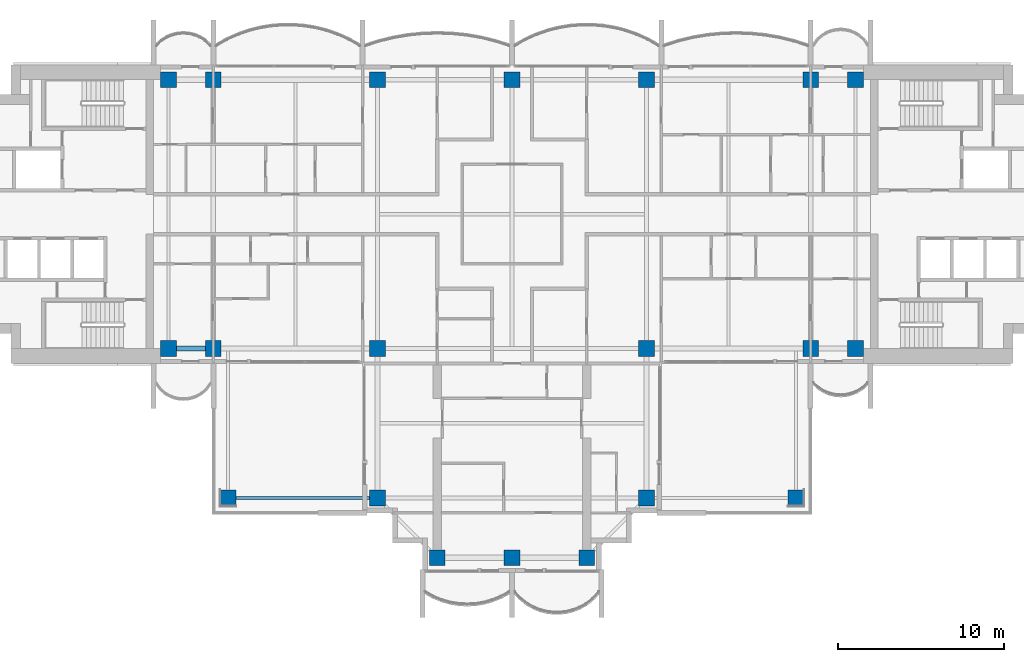
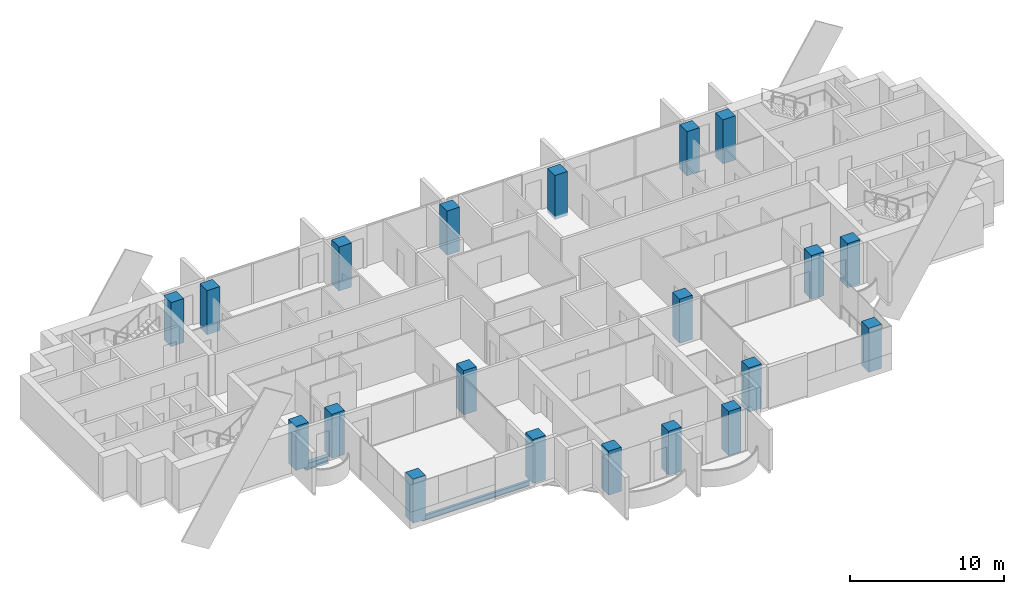
# One storey, part 1 of 17: 20 columns, 2 beams.
"""IFC4 building model written with IfcOpenShell, lengths in metres."""

from ifc_helpers import new_model, si_unit, direction, frame, origin, origin_2d, place, context, subcontext, project, spatial, rectangle, i_section, extrude, material, material_profile, profile_set, type_object, element, save


model = new_model("IFC4")

# Units and contexts
model_context = context("Model", 3, precision=1e-05, world=origin(), true_north=direction((0.0, 1.0)))
body_context = subcontext(model_context, "Body", "Model", "MODEL_VIEW")
ifc_project = project(units=[si_unit("LENGTHUNIT", "METRE"), si_unit("AREAUNIT", "SQUARE_METRE"), si_unit("VOLUMEUNIT", "CUBIC_METRE"), si_unit("PLANEANGLEUNIT", "RADIAN"), si_unit("MASSUNIT", "GRAM", prefix="KILO")], contexts=[model_context])

# Site, building, storey
site_placement = place(None, origin())
site = spatial("IfcSite", under=ifc_project, at=site_placement, CompositionType="ELEMENT")
building_placement = place(site_placement, origin())
building = spatial("IfcBuilding", under=site, at=building_placement, Name="Perihelion Cross Residences", CompositionType="ELEMENT")
storey_placement = place(building_placement, frame((0.0, 0.0, 198.10009765625)))
storey = spatial("IfcBuildingStorey", under=building, at=storey_placement, Name="L49", CompositionType="ELEMENT", Elevation=198.10009765625)

# Columns
ifc_material_1 = material(Name="Concrete C60/75", Category="concrete")
ifc_material_profile_1 = material_profile(ifc_material_1, rectangle(XDim=0.949951171875, YDim=0.949951171875, at=origin_2d()), Name="RC 950x950")
ifc_profile_set_1 = profile_set([ifc_material_profile_1], Name="Concrete C60/75")
column_type = type_object("IfcColumnType", Name="Reinforced concrete column 950x950 C60/75", PredefinedType="COLUMN", material=ifc_profile_set_1)
for number, where, z_axis, x_axis, name in (
    (1, (-20.699951171875, -8.10009765625, -0.25), (0.0, 0.0, 1.0), (1.0, 0.0, 0.0), "Column C017 L49 no. 1"),
    (2, (-20.699951171875, 8.10009765625, -0.25), (0.0, 0.0, 1.0), (1.0, 0.0, 0.0), "Column C010 L49 no. 1"),
    (3, (-18.0, -8.10009765625, -0.25), (0.0, 0.0, 1.0), (1.0, 0.0, 0.0), "Column C018 L49 no. 1"),
    (4, (-18.0, 8.10009765625, -0.25), (0.0, 0.0, 1.0), (1.0, 0.0, 0.0), "Column C011 L49 no. 1"),
    (5, (-8.10009765625, -17.10009765625, -0.25), (0.0, 0.0, 1.0), (1.0, 0.0, 0.0), "Column C031 L49 no. 1"),
    (6, (-8.10009765625, -8.10009765625, -0.25), (0.0, 0.0, 1.0), (1.0, 0.0, 0.0), "Column C019 L49 no. 1"),
    (7, (-8.10009765625, 8.10009765625, -0.25), (0.0, 0.0, 1.0), (1.0, 0.0, 0.0), "Column C012 L49 no. 1"),
    (8, (-4.5, -20.699951171875, -0.25), (0.0, 0.0, 1.0), (1.0, 0.0, 0.0), "Column C037 L49 no. 1"),
    (9, (0.0, -20.699951171875, -0.25), (0.0, 0.0, 1.0), (1.0, 0.0, 0.0), "Column C038 L49 no. 1"),
    (10, (0.0, 8.10009765625, -0.25), (0.0, 0.0, 1.0), (1.0, 0.0, 0.0), "Column C013 L49 no. 1"),
    (11, (4.5, -20.699951171875, -0.25), (0.0, 0.0, 1.0), (1.0, 0.0, 0.0), "Column C039 L49 no. 1"),
    (12, (8.10009765625, -17.10009765625, -0.25), (0.0, 0.0, 1.0), (1.0, 0.0, 0.0), "Column C035 L49 no. 1"),
    (13, (8.10009765625, -8.10009765625, -0.25), (0.0, 0.0, 1.0), (1.0, 0.0, 0.0), "Column C020 L49 no. 1"),
    (14, (8.10009765625, 8.10009765625, -0.25), (0.0, 0.0, 1.0), (1.0, 0.0, 0.0), "Column C014 L49 no. 1"),
    (15, (18.0, -8.10009765625, -0.25), (0.0, 0.0, 1.0), (1.0, 0.0, 0.0), "Column C021 L49 no. 1"),
    (16, (18.0, 8.10009765625, -0.25), (0.0, 0.0, 1.0), (1.0, 0.0, 0.0), "Column C015 L49 no. 1"),
    (17, (20.699951171875, -8.10009765625, -0.25), (0.0, 0.0, 1.0), (1.0, 0.0, 0.0), "Column C022 L49 no. 1"),
    (18, (20.699951171875, 8.10009765625, -0.25), (0.0, 0.0, 1.0), (1.0, 0.0, 0.0), "Column C016 L49 no. 1"),
    (19, (-17.10009765625, -17.10009765625, -0.25), (0.0, 0.0, 1.0), (1.0, 0.0, 0.0), "Column C030 L49 no. 1"),
    (20, (17.10009765625, -17.10009765625, -0.25), (0.0, 0.0, 1.0), (1.0, 0.0, 0.0), "Column C036 L49 no. 1"),
):
    element("IfcColumn", number, at=place(storey_placement, frame(where, z_axis=z_axis, x_axis=x_axis)), inside=storey, type_object=column_type, Name=name, PredefinedType="COLUMN", context=body_context, shape_type="SweptSolid", body=[
        extrude(rectangle(XDim=0.949951171875, YDim=0.949951171875, at=origin_2d()), origin(), (0.0, 0.0, 1.0), 3.5),
    ])

# Beams
ifc_material_2 = material(Name="Steel S355", Category="steel")
ifc_material_profile_2 = material_profile(ifc_material_2, i_section(OverallWidth=0.177978515625, OverallDepth=0.406005859375, WebThickness=0.0078125, FlangeThickness=0.0126953125, at=origin_2d()), Name="W410x60")
ifc_profile_set_2 = profile_set([ifc_material_profile_2], Name="Steel S355")
beam_type_1 = type_object("IfcBeamType", Name="Core edge beam W410x60", PredefinedType="BEAM", material=ifc_profile_set_2)
beam_1_placement = place(storey_placement, frame((-8.574951171875, -17.10009765625, -0.453125), z_axis=(-1.0, 0.0, 0.0), x_axis=(0.0, -1.0, 0.0)))
element("IfcBeam", 21, at=beam_1_placement, inside=storey, type_object=beam_type_1, Name="Core edge beam TB2 L49 corner no. 2", PredefinedType="BEAM", context=body_context, shape_type="SweptSolid", body=[
    extrude(i_section(OverallWidth=0.177978515625, OverallDepth=0.406005859375, WebThickness=0.0078125, FlangeThickness=0.0126953125, at=origin_2d()), origin(), (0.0, 0.0, 1.0), 8.050048828125),
])
ifc_material_3 = material(Name="Steel S355", Category="steel")
ifc_material_profile_3 = material_profile(ifc_material_3, i_section(OverallWidth=0.31201171875, OverallDepth=0.5439453125, WebThickness=0.0126953125, FlangeThickness=0.020263671875, at=origin_2d()), Name="W530x150")
ifc_profile_set_3 = profile_set([ifc_material_profile_3], Name="Steel S355")
beam_type_2 = type_object("IfcBeamType", Name="Edge beam W530x150", PredefinedType="SPANDREL", material=ifc_profile_set_3)
beam_2_placement = place(storey_placement, frame((-20.22509765625, -8.10009765625, -0.522216796875), z_axis=(1.0, 0.0, 0.0), x_axis=(0.0, 1.0, 0.0)))
element("IfcBeam", 22, at=beam_2_placement, inside=storey, type_object=beam_type_2, Name="Edge beam SB4 L49 no. 3", PredefinedType="SPANDREL", context=body_context, shape_type="SweptSolid", body=[
    extrude(i_section(OverallWidth=0.31201171875, OverallDepth=0.5439453125, WebThickness=0.0126953125, FlangeThickness=0.020263671875, at=origin_2d()), origin(), (0.0, 0.0, 1.0), 1.75),
])

save(model, "model.ifc")
